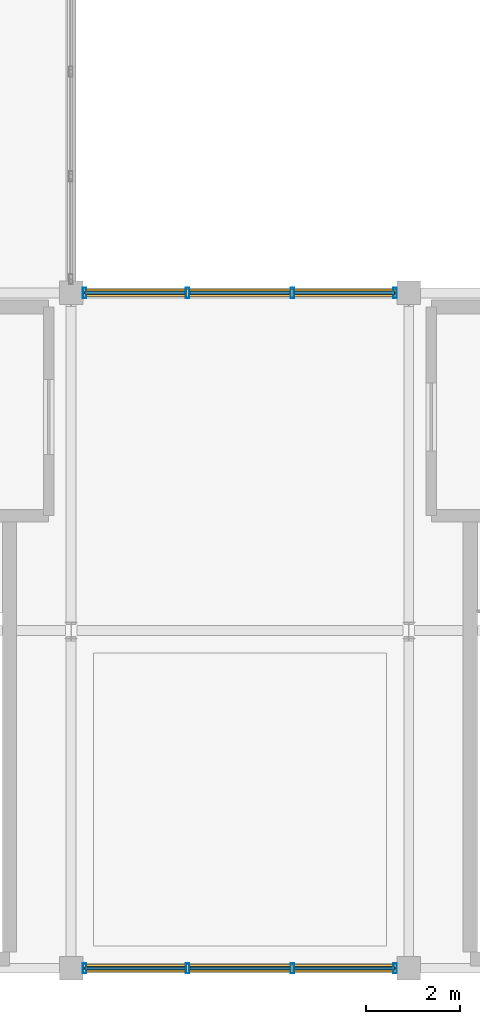
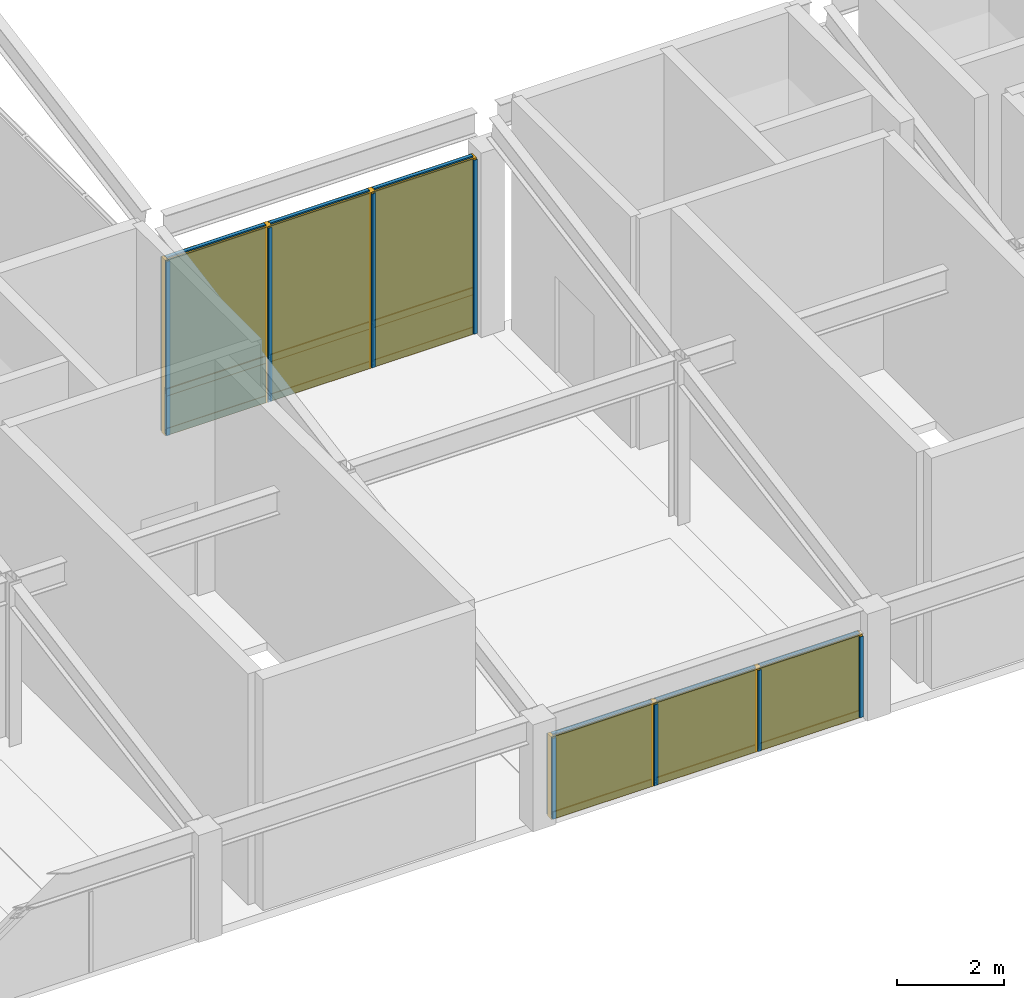
# One storey, part 7 of 16: 23 members, 9 plates, 2 curtain walls.
"""IFC4 building model written with IfcOpenShell, lengths in metres."""

from ifc_helpers import new_model, si_unit, direction, frame, origin, origin_2d, place, context, subcontext, project, spatial, rectangle, hollow_rectangle, extrude, material, layer, layer_set, material_profile, profile_set, type_object, element, aggregate, save


model = new_model("IFC4")

# Units and contexts
model_context = context("Model", 3, precision=1e-05, world=origin(), true_north=direction((0.0, 1.0)))
body_context = subcontext(model_context, "Body", "Model", "MODEL_VIEW")
ifc_project = project(units=[si_unit("LENGTHUNIT", "METRE"), si_unit("AREAUNIT", "SQUARE_METRE"), si_unit("VOLUMEUNIT", "CUBIC_METRE"), si_unit("PLANEANGLEUNIT", "RADIAN"), si_unit("MASSUNIT", "GRAM", prefix="KILO")], contexts=[model_context])

# Member
ifc_material_1 = material(Name="Anodized Aluminium 6063-T6", Category="aluminium")
ifc_material_profile_1 = material_profile(ifc_material_1, hollow_rectangle(XDim=0.074951171875, YDim=0.219970703125, WallThickness=0.0048828125, at=origin_2d()), Name="ALU 75x220x5")
ifc_profile_set_1 = profile_set([ifc_material_profile_1], Name="Anodized Aluminium 6063-T6")
member_type_1 = type_object("IfcMemberType", Name="CWM-75X180", PredefinedType="MULLION", material=ifc_profile_set_1)
site_placement = place(None, origin())
building_placement = place(site_placement, origin())
storey_placement = place(building_placement, frame((0.0, 0.0, 25.800048828125)))
member_1_placement = place(storey_placement, frame((78.909912109375, 79.199951171875, 0.02001953125), z_axis=(0.0, 0.0, 1.0), x_axis=(1.0, 0.0, 0.0)))
member_1 = element("IfcMember", 1, at=member_1_placement, type_object=member_type_1, Name="Curtain wall mullion CW-L07-10-11-S-00", PredefinedType="MULLION", context=body_context, shape_type="SweptSolid", body=[
    extrude(hollow_rectangle(XDim=0.074951171875, YDim=0.219970703125, WallThickness=0.0048828125, at=origin_2d()), origin(), (0.0, 0.0, 1.0), 1.83984375),
])

member_2_placement = place(storey_placement, frame((76.716796875, 79.199951171875, 0.02001953125), z_axis=(0.0, 0.0, 1.0), x_axis=(1.0, 0.0, 0.0)))
member_2 = element("IfcMember", 2, at=member_2_placement, type_object=member_type_1, Name="Curtain wall mullion CW-L07-10-11-S-01", PredefinedType="MULLION", context=body_context, shape_type="SweptSolid", body=[
    extrude(hollow_rectangle(XDim=0.074951171875, YDim=0.219970703125, WallThickness=0.0048828125, at=origin_2d()), origin(), (0.0, 0.0, 1.0), 1.83984375),
])

member_3_placement = place(storey_placement, frame((74.4833984375, 79.199951171875, 0.02001953125), z_axis=(0.0, 0.0, 1.0), x_axis=(1.0, 0.0, 0.0)))
member_3 = element("IfcMember", 3, at=member_3_placement, type_object=member_type_1, Name="Curtain wall mullion CW-L07-10-11-S-02", PredefinedType="MULLION", context=body_context, shape_type="SweptSolid", body=[
    extrude(hollow_rectangle(XDim=0.074951171875, YDim=0.219970703125, WallThickness=0.0048828125, at=origin_2d()), origin(), (0.0, 0.0, 1.0), 1.83984375),
])

member_4_placement = place(storey_placement, frame((72.2900390625, 79.199951171875, 0.02001953125), z_axis=(0.0, 0.0, 1.0), x_axis=(1.0, 0.0, 0.0)))
member_4 = element("IfcMember", 4, at=member_4_placement, type_object=member_type_1, Name="Curtain wall mullion CW-L07-10-11-S-03", PredefinedType="MULLION", context=body_context, shape_type="SweptSolid", body=[
    extrude(hollow_rectangle(XDim=0.074951171875, YDim=0.219970703125, WallThickness=0.0048828125, at=origin_2d()), origin(), (0.0, 0.0, 1.0), 1.83984375),
])

member_5_placement = place(storey_placement, frame((72.2900390625, 93.60009765625, 0.02001953125), z_axis=(0.0, 0.0, 1.0), x_axis=(1.0, 0.0, 0.0)))
member_5 = element("IfcMember", 5, at=member_5_placement, type_object=member_type_1, Name="Curtain wall mullion CW-L07-10-12-N-00", PredefinedType="MULLION", context=body_context, shape_type="SweptSolid", body=[
    extrude(hollow_rectangle(XDim=0.074951171875, YDim=0.219970703125, WallThickness=0.0048828125, at=origin_2d()), origin(), (0.0, 0.0, 1.0), 3.9599609375),
])

member_6_placement = place(storey_placement, frame((74.4833984375, 93.60009765625, 0.02001953125), z_axis=(0.0, 0.0, 1.0), x_axis=(1.0, 0.0, 0.0)))
member_6 = element("IfcMember", 6, at=member_6_placement, type_object=member_type_1, Name="Curtain wall mullion CW-L07-10-12-N-01", PredefinedType="MULLION", context=body_context, shape_type="SweptSolid", body=[
    extrude(hollow_rectangle(XDim=0.074951171875, YDim=0.219970703125, WallThickness=0.0048828125, at=origin_2d()), origin(), (0.0, 0.0, 1.0), 3.9599609375),
])

member_7_placement = place(storey_placement, frame((76.716796875, 93.60009765625, 0.02001953125), z_axis=(0.0, 0.0, 1.0), x_axis=(1.0, 0.0, 0.0)))
member_7 = element("IfcMember", 7, at=member_7_placement, type_object=member_type_1, Name="Curtain wall mullion CW-L07-10-12-N-02", PredefinedType="MULLION", context=body_context, shape_type="SweptSolid", body=[
    extrude(hollow_rectangle(XDim=0.074951171875, YDim=0.219970703125, WallThickness=0.0048828125, at=origin_2d()), origin(), (0.0, 0.0, 1.0), 3.9599609375),
])

member_8_placement = place(storey_placement, frame((78.909912109375, 93.60009765625, 0.02001953125), z_axis=(0.0, 0.0, 1.0), x_axis=(1.0, 0.0, 0.0)))
member_8 = element("IfcMember", 8, at=member_8_placement, type_object=member_type_1, Name="Curtain wall mullion CW-L07-10-12-N-03", PredefinedType="MULLION", context=body_context, shape_type="SweptSolid", body=[
    extrude(hollow_rectangle(XDim=0.074951171875, YDim=0.219970703125, WallThickness=0.0048828125, at=origin_2d()), origin(), (0.0, 0.0, 1.0), 3.9599609375),
])

ifc_material_profile_2 = material_profile(ifc_material_1, hollow_rectangle(XDim=0.074951171875, YDim=0.159912109375, WallThickness=0.00390625, at=origin_2d()), Name="ALU 75x160x4")
ifc_profile_set_2 = profile_set([ifc_material_profile_2], Name="Anodized Aluminium 6063-T6")
member_type_2 = type_object("IfcMemberType", Name="CWT-75X150", PredefinedType="USERDEFINED", material=ifc_profile_set_2)
member_9_placement = place(storey_placement, frame((78.89990234375, 79.199951171875, 0.050048828125), z_axis=(-1.0, 0.0, 0.0), x_axis=(0.0, -1.0, 0.0)))
member_9 = element("IfcMember", 9, at=member_9_placement, type_object=member_type_2, Name="Curtain wall transom CW-L07-10-11-S-1.01", ObjectType="TRANSOM", PredefinedType="USERDEFINED", context=body_context, shape_type="SweptSolid", body=[
    extrude(hollow_rectangle(XDim=0.074951171875, YDim=0.159912109375, WallThickness=0.00390625, at=origin_2d()), origin(), (0.0, 0.0, 1.0), 2.13330078125),
])

member_10_placement = place(storey_placement, frame((76.666748046875, 79.199951171875, 0.050048828125), z_axis=(-1.0, 0.0, 0.0), x_axis=(0.0, -1.0, 0.0)))
member_10 = element("IfcMember", 10, at=member_10_placement, type_object=member_type_2, Name="Curtain wall transom CW-L07-10-11-S-1.02", ObjectType="TRANSOM", PredefinedType="USERDEFINED", context=body_context, shape_type="SweptSolid", body=[
    extrude(hollow_rectangle(XDim=0.074951171875, YDim=0.159912109375, WallThickness=0.00390625, at=origin_2d()), origin(), (0.0, 0.0, 1.0), 2.133544921875),
])

member_11_placement = place(storey_placement, frame((74.433349609375, 79.199951171875, 0.050048828125), z_axis=(-1.0, 0.0, 0.0), x_axis=(0.0, -1.0, 0.0)))
member_11 = element("IfcMember", 11, at=member_11_placement, type_object=member_type_2, Name="Curtain wall transom CW-L07-10-11-S-1.03", ObjectType="TRANSOM", PredefinedType="USERDEFINED", context=body_context, shape_type="SweptSolid", body=[
    extrude(hollow_rectangle(XDim=0.074951171875, YDim=0.159912109375, WallThickness=0.00390625, at=origin_2d()), origin(), (0.0, 0.0, 1.0), 2.13330078125),
])

member_12_placement = place(storey_placement, frame((78.89990234375, 79.199951171875, 1.829833984375), z_axis=(-1.0, 0.0, 0.0), x_axis=(0.0, -1.0, 0.0)))
member_12 = element("IfcMember", 12, at=member_12_placement, type_object=member_type_2, Name="Curtain wall transom CW-L07-10-11-S-2.01", ObjectType="TRANSOM", PredefinedType="USERDEFINED", context=body_context, shape_type="SweptSolid", body=[
    extrude(hollow_rectangle(XDim=0.074951171875, YDim=0.159912109375, WallThickness=0.00390625, at=origin_2d()), origin(), (0.0, 0.0, 1.0), 2.13330078125),
])

member_13_placement = place(storey_placement, frame((76.666748046875, 79.199951171875, 1.829833984375), z_axis=(-1.0, 0.0, 0.0), x_axis=(0.0, -1.0, 0.0)))
member_13 = element("IfcMember", 13, at=member_13_placement, type_object=member_type_2, Name="Curtain wall transom CW-L07-10-11-S-2.02", ObjectType="TRANSOM", PredefinedType="USERDEFINED", context=body_context, shape_type="SweptSolid", body=[
    extrude(hollow_rectangle(XDim=0.074951171875, YDim=0.159912109375, WallThickness=0.00390625, at=origin_2d()), origin(), (0.0, 0.0, 1.0), 2.133544921875),
])

member_14_placement = place(storey_placement, frame((74.433349609375, 79.199951171875, 1.829833984375), z_axis=(-1.0, 0.0, 0.0), x_axis=(0.0, -1.0, 0.0)))
member_14 = element("IfcMember", 14, at=member_14_placement, type_object=member_type_2, Name="Curtain wall transom CW-L07-10-11-S-2.03", ObjectType="TRANSOM", PredefinedType="USERDEFINED", context=body_context, shape_type="SweptSolid", body=[
    extrude(hollow_rectangle(XDim=0.074951171875, YDim=0.159912109375, WallThickness=0.00390625, at=origin_2d()), origin(), (0.0, 0.0, 1.0), 2.13330078125),
])

member_15_placement = place(storey_placement, frame((72.300048828125, 93.60009765625, 0.050048828125), z_axis=(1.0, 0.0, 0.0), x_axis=(0.0, 1.0, 0.0)))
member_15 = element("IfcMember", 15, at=member_15_placement, type_object=member_type_2, Name="Curtain wall transom CW-L07-10-12-N-1.01", ObjectType="TRANSOM", PredefinedType="USERDEFINED", context=body_context, shape_type="SweptSolid", body=[
    extrude(hollow_rectangle(XDim=0.074951171875, YDim=0.159912109375, WallThickness=0.00390625, at=origin_2d()), origin(), (0.0, 0.0, 1.0), 2.13330078125),
])

member_16_placement = place(storey_placement, frame((74.533203125, 93.60009765625, 0.050048828125), z_axis=(1.0, 0.0, 0.0), x_axis=(0.0, 1.0, 0.0)))
member_16 = element("IfcMember", 16, at=member_16_placement, type_object=member_type_2, Name="Curtain wall transom CW-L07-10-12-N-1.02", ObjectType="TRANSOM", PredefinedType="USERDEFINED", context=body_context, shape_type="SweptSolid", body=[
    extrude(hollow_rectangle(XDim=0.074951171875, YDim=0.159912109375, WallThickness=0.00390625, at=origin_2d()), origin(), (0.0, 0.0, 1.0), 2.133544921875),
])

member_17_placement = place(storey_placement, frame((76.7666015625, 93.60009765625, 0.050048828125), z_axis=(1.0, 0.0, 0.0), x_axis=(0.0, 1.0, 0.0)))
member_17 = element("IfcMember", 17, at=member_17_placement, type_object=member_type_2, Name="Curtain wall transom CW-L07-10-12-N-1.03", ObjectType="TRANSOM", PredefinedType="USERDEFINED", context=body_context, shape_type="SweptSolid", body=[
    extrude(hollow_rectangle(XDim=0.074951171875, YDim=0.159912109375, WallThickness=0.00390625, at=origin_2d()), origin(), (0.0, 0.0, 1.0), 2.13330078125),
])

member_18_placement = place(storey_placement, frame((72.300048828125, 93.60009765625, 0.949951171875), z_axis=(1.0, 0.0, 0.0), x_axis=(0.0, 1.0, 0.0)))
member_18 = element("IfcMember", 18, at=member_18_placement, type_object=member_type_2, Name="Curtain wall transom CW-L07-10-12-N-2.01", ObjectType="TRANSOM", PredefinedType="USERDEFINED", context=body_context, shape_type="SweptSolid", body=[
    extrude(hollow_rectangle(XDim=0.074951171875, YDim=0.159912109375, WallThickness=0.00390625, at=origin_2d()), origin(), (0.0, 0.0, 1.0), 2.13330078125),
])

member_19_placement = place(storey_placement, frame((74.533203125, 93.60009765625, 0.949951171875), z_axis=(1.0, 0.0, 0.0), x_axis=(0.0, 1.0, 0.0)))
member_19 = element("IfcMember", 19, at=member_19_placement, type_object=member_type_2, Name="Curtain wall transom CW-L07-10-12-N-2.02", ObjectType="TRANSOM", PredefinedType="USERDEFINED", context=body_context, shape_type="SweptSolid", body=[
    extrude(hollow_rectangle(XDim=0.074951171875, YDim=0.159912109375, WallThickness=0.00390625, at=origin_2d()), origin(), (0.0, 0.0, 1.0), 2.133544921875),
])

member_20_placement = place(storey_placement, frame((76.7666015625, 93.60009765625, 0.949951171875), z_axis=(1.0, 0.0, 0.0), x_axis=(0.0, 1.0, 0.0)))
member_20 = element("IfcMember", 20, at=member_20_placement, type_object=member_type_2, Name="Curtain wall transom CW-L07-10-12-N-2.03", ObjectType="TRANSOM", PredefinedType="USERDEFINED", context=body_context, shape_type="SweptSolid", body=[
    extrude(hollow_rectangle(XDim=0.074951171875, YDim=0.159912109375, WallThickness=0.00390625, at=origin_2d()), origin(), (0.0, 0.0, 1.0), 2.13330078125),
])

member_21_placement = place(storey_placement, frame((72.300048828125, 93.60009765625, 3.949951171875), z_axis=(1.0, 0.0, 0.0), x_axis=(0.0, 1.0, 0.0)))
member_21 = element("IfcMember", 21, at=member_21_placement, type_object=member_type_2, Name="Curtain wall transom CW-L07-10-12-N-3.01", ObjectType="TRANSOM", PredefinedType="USERDEFINED", context=body_context, shape_type="SweptSolid", body=[
    extrude(hollow_rectangle(XDim=0.074951171875, YDim=0.159912109375, WallThickness=0.00390625, at=origin_2d()), origin(), (0.0, 0.0, 1.0), 2.13330078125),
])

member_22_placement = place(storey_placement, frame((74.533203125, 93.60009765625, 3.949951171875), z_axis=(1.0, 0.0, 0.0), x_axis=(0.0, 1.0, 0.0)))
member_22 = element("IfcMember", 22, at=member_22_placement, type_object=member_type_2, Name="Curtain wall transom CW-L07-10-12-N-3.02", ObjectType="TRANSOM", PredefinedType="USERDEFINED", context=body_context, shape_type="SweptSolid", body=[
    extrude(hollow_rectangle(XDim=0.074951171875, YDim=0.159912109375, WallThickness=0.00390625, at=origin_2d()), origin(), (0.0, 0.0, 1.0), 2.133544921875),
])

member_23_placement = place(storey_placement, frame((76.7666015625, 93.60009765625, 3.949951171875), z_axis=(1.0, 0.0, 0.0), x_axis=(0.0, 1.0, 0.0)))
member_23 = element("IfcMember", 23, at=member_23_placement, type_object=member_type_2, Name="Curtain wall transom CW-L07-10-12-N-3.03", ObjectType="TRANSOM", PredefinedType="USERDEFINED", context=body_context, shape_type="SweptSolid", body=[
    extrude(hollow_rectangle(XDim=0.074951171875, YDim=0.159912109375, WallThickness=0.00390625, at=origin_2d()), origin(), (0.0, 0.0, 1.0), 2.13330078125),
])

# Plate
ifc_material_2 = material(Name="Acoustic Laminated Low-E Glazing", Category="glass")
ifc_layer_1 = layer(ifc_material_2, 0.0439453125)
ifc_layer_set_1 = layer_set([ifc_layer_1], Name="Acoustic Laminated Low-E Glazing")
plate_type_1 = type_object("IfcPlateType", Name="CWP-IGU-44", PredefinedType="CURTAIN_PANEL", material=ifc_layer_set_1)
plate_1_placement = place(storey_placement, frame((77.833251953125, 79.199951171875, 0.06005859375), z_axis=(0.0, 0.0, 1.0), x_axis=(-1.0, 0.0, 0.0)))
plate_1 = element("IfcPlate", 24, at=plate_1_placement, type_object=plate_type_1, Name="Curtain wall vision glazing CW-L07-10-11-S-01", PredefinedType="CURTAIN_PANEL", context=body_context, shape_type="SweptSolid", body=[
    extrude(rectangle(XDim=2.143310546875, YDim=0.0400390625, at=origin_2d()), origin(), (0.0, 0.0, 1.0), 1.760009765625),
])

plate_2_placement = place(storey_placement, frame((75.60009765625, 79.199951171875, 0.06005859375), z_axis=(0.0, 0.0, 1.0), x_axis=(-1.0, 0.0, 0.0)))
plate_2 = element("IfcPlate", 25, at=plate_2_placement, type_object=plate_type_1, Name="Curtain wall vision glazing CW-L07-10-11-S-02", PredefinedType="CURTAIN_PANEL", context=body_context, shape_type="SweptSolid", body=[
    extrude(rectangle(XDim=2.143310546875, YDim=0.0400390625, at=origin_2d()), origin(), (0.0, 0.0, 1.0), 1.760009765625),
])

plate_3_placement = place(storey_placement, frame((73.36669921875, 79.199951171875, 0.06005859375), z_axis=(0.0, 0.0, 1.0), x_axis=(-1.0, 0.0, 0.0)))
plate_3 = element("IfcPlate", 26, at=plate_3_placement, type_object=plate_type_1, Name="Curtain wall vision glazing CW-L07-10-11-S-03", PredefinedType="CURTAIN_PANEL", context=body_context, shape_type="SweptSolid", body=[
    extrude(rectangle(XDim=2.143310546875, YDim=0.0400390625, at=origin_2d()), origin(), (0.0, 0.0, 1.0), 1.760009765625),
])

plate_4_placement = place(storey_placement, frame((73.36669921875, 93.60009765625, 0.98974609375), z_axis=(0.0, 0.0, 1.0), x_axis=(1.0, 0.0, 0.0)))
plate_4 = element("IfcPlate", 27, at=plate_4_placement, type_object=plate_type_1, Name="Curtain wall vision glazing CW-L07-10-12-N-01", PredefinedType="CURTAIN_PANEL", context=body_context, shape_type="SweptSolid", body=[
    extrude(rectangle(XDim=2.143310546875, YDim=0.0400390625, at=origin_2d()), origin(), (0.0, 0.0, 1.0), 2.949951171875),
])

plate_5_placement = place(storey_placement, frame((75.60009765625, 93.60009765625, 0.98974609375), z_axis=(0.0, 0.0, 1.0), x_axis=(1.0, 0.0, 0.0)))
plate_5 = element("IfcPlate", 28, at=plate_5_placement, type_object=plate_type_1, Name="Curtain wall vision glazing CW-L07-10-12-N-02", PredefinedType="CURTAIN_PANEL", context=body_context, shape_type="SweptSolid", body=[
    extrude(rectangle(XDim=2.143310546875, YDim=0.0400390625, at=origin_2d()), origin(), (0.0, 0.0, 1.0), 2.949951171875),
])

plate_6_placement = place(storey_placement, frame((77.833251953125, 93.60009765625, 0.98974609375), z_axis=(0.0, 0.0, 1.0), x_axis=(1.0, 0.0, 0.0)))
plate_6 = element("IfcPlate", 29, at=plate_6_placement, type_object=plate_type_1, Name="Curtain wall vision glazing CW-L07-10-12-N-03", PredefinedType="CURTAIN_PANEL", context=body_context, shape_type="SweptSolid", body=[
    extrude(rectangle(XDim=2.143310546875, YDim=0.0400390625, at=origin_2d()), origin(), (0.0, 0.0, 1.0), 2.949951171875),
])

ifc_material_3 = material(Name="Insulated Stone-Composite Spandrel", Category="masonry")
ifc_layer_2 = layer(ifc_material_3, 0.068115234375)
ifc_layer_set_2 = layer_set([ifc_layer_2], Name="Insulated Stone-Composite Spandrel")
plate_type_2 = type_object("IfcPlateType", Name="CWP-SPN-68", PredefinedType="CURTAIN_PANEL", material=ifc_layer_set_2)
plate_7_placement = place(storey_placement, frame((73.36669921875, 93.60009765625, 0.080078125), z_axis=(0.0, 0.0, 1.0), x_axis=(1.0, 0.0, 0.0)))
plate_7 = element("IfcPlate", 30, at=plate_7_placement, type_object=plate_type_2, Name="Curtain wall spandrel panel CW-L07-10-12-N-01", PredefinedType="CURTAIN_PANEL", context=body_context, shape_type="SweptSolid", body=[
    extrude(rectangle(XDim=2.143310546875, YDim=0.06005859375, at=origin_2d()), origin(), (0.0, 0.0, 1.0), 0.840087890625),
])

plate_8_placement = place(storey_placement, frame((75.60009765625, 93.60009765625, 0.080078125), z_axis=(0.0, 0.0, 1.0), x_axis=(1.0, 0.0, 0.0)))
plate_8 = element("IfcPlate", 31, at=plate_8_placement, type_object=plate_type_2, Name="Curtain wall spandrel panel CW-L07-10-12-N-02", PredefinedType="CURTAIN_PANEL", context=body_context, shape_type="SweptSolid", body=[
    extrude(rectangle(XDim=2.143310546875, YDim=0.06005859375, at=origin_2d()), origin(), (0.0, 0.0, 1.0), 0.840087890625),
])

plate_9_placement = place(storey_placement, frame((77.833251953125, 93.60009765625, 0.080078125), z_axis=(0.0, 0.0, 1.0), x_axis=(1.0, 0.0, 0.0)))
plate_9 = element("IfcPlate", 32, at=plate_9_placement, type_object=plate_type_2, Name="Curtain wall spandrel panel CW-L07-10-12-N-03", PredefinedType="CURTAIN_PANEL", context=body_context, shape_type="SweptSolid", body=[
    extrude(rectangle(XDim=2.143310546875, YDim=0.06005859375, at=origin_2d()), origin(), (0.0, 0.0, 1.0), 0.840087890625),
])

# Site, building, storey
site = spatial("IfcSite", under=ifc_project, at=site_placement, CompositionType="ELEMENT")
building = spatial("IfcBuilding", under=site, at=building_placement, Name="Sillqori Civic Hall", CompositionType="ELEMENT")
storey = spatial("IfcBuildingStorey", under=building, at=storey_placement, Name="L07", CompositionType="ELEMENT", Elevation=25.800048828125)

# Curtain wall
ifc_material_4 = material(Name="Anodized Aluminium Curtain Wall System", Category="aluminium")
curtain_wall_type = type_object("IfcCurtainWallType", Name="CW-OB-340", PredefinedType="NOTDEFINED", material=ifc_material_4)
curtain_wall_1_placement = place(storey_placement, frame((75.60009765625, 79.199951171875, 0.0), z_axis=(0.0, 0.0, 1.0), x_axis=(-1.0, 0.0, 0.0)))
curtain_wall_1 = element("IfcCurtainWall", 33, at=curtain_wall_1_placement, inside=storey, type_object=curtain_wall_type, Name="L07 unitised curtain wall CW-L07-10-11-S", PredefinedType="NOTDEFINED", context=body_context, shape_type="SweptSolid", body=[
    extrude(rectangle(XDim=6.699951171875, YDim=0.159912109375, at=origin_2d()), origin(), (0.0, 0.0, 1.0), 1.8798828125),
])

aggregate(curtain_wall_1, [member_1, member_2, member_3, member_4, member_9, member_10, member_11, member_12, member_13, member_14, plate_1, plate_2, plate_3])

curtain_wall_2_placement = place(storey_placement, frame((75.60009765625, 93.60009765625, 0.0), z_axis=(0.0, 0.0, 1.0), x_axis=(1.0, 0.0, 0.0)))
curtain_wall_2 = element("IfcCurtainWall", 34, at=curtain_wall_2_placement, inside=storey, type_object=curtain_wall_type, Name="L07 unitised curtain wall CW-L07-10-12-N", PredefinedType="NOTDEFINED", context=body_context, shape_type="SweptSolid", body=[
    extrude(rectangle(XDim=6.699951171875, YDim=0.159912109375, at=origin_2d()), origin(), (0.0, 0.0, 1.0), 4.0),
])

aggregate(curtain_wall_2, [member_5, member_6, member_7, member_8, member_15, member_16, member_17, member_18, member_19, member_20, member_21, member_22, member_23, plate_7, plate_4, plate_8, plate_5, plate_9, plate_6])

save(model, "model.ifc")
